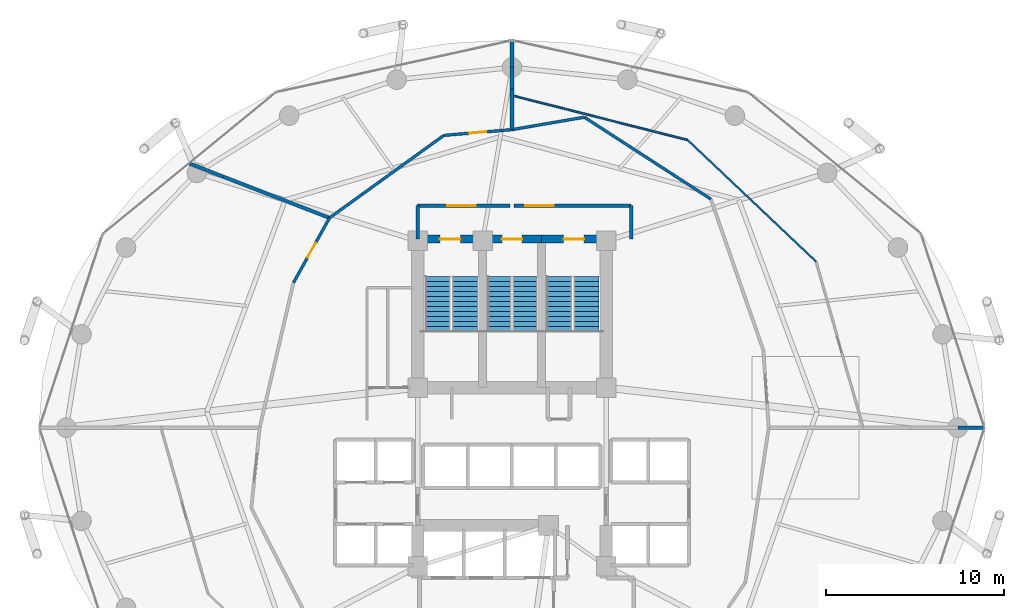
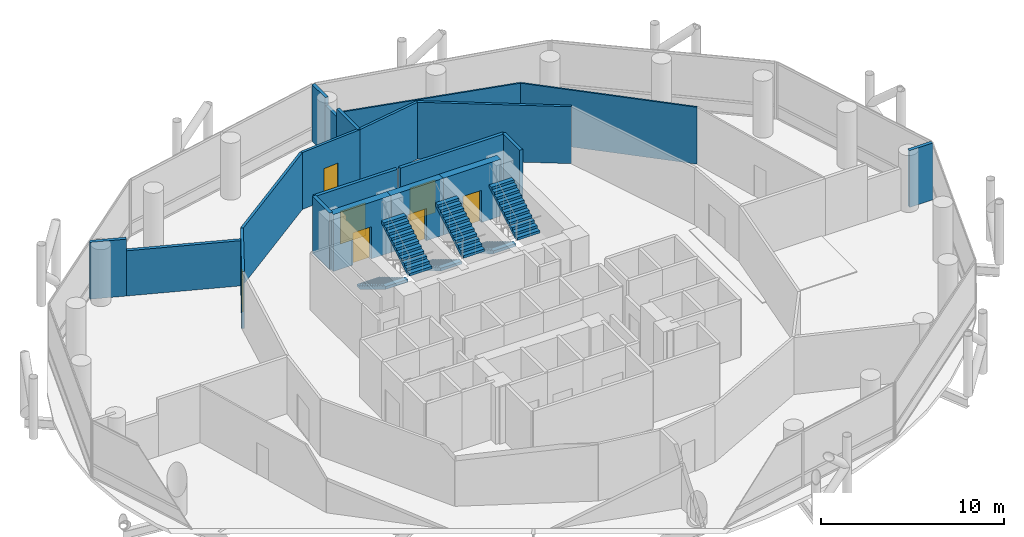
# One storey, part 23 of 24: 20 walls, 7 doors, 6 stair flights, 7 openings, 3 elements without a shape of their own.
"""IFC4 building model written with IfcOpenShell, lengths in metres."""

import ifcopenshell
import ifcopenshell.guid

model = None  # the IFC model being written
_history = None  # IfcOwnerHistory: only IFC2X3 demands one
_inside = {}  # id of a spatial element -> (the spatial element, [elements in it])
_under = {}  # id of a project, library or spatial element -> (it, [spatial elements below it])
_declared = {}  # id of a project -> (the project, [libraries it declares])
_typed = {}  # id of a type object -> (the type object, [elements of that type])
_made_of = {}  # id of a material, layer set ... -> (it, [elements and type objects made of it])


def new_model(schema):
    """Start an empty IFC model of exactly this schema.

    Asked for "IFC4X3", IfcOpenShell would pick the latest addendum, in which some entities
    have other attributes; the version numbers below select the first issue.
    IFC2X3 requires an IfcOwnerHistory on every rooted entity: one is made here for all.
    """
    global model, _history
    if schema == "IFC4X3":
        model = ifcopenshell.file(schema_version=(4, 3, 0, 0))
    else:
        model = ifcopenshell.file(schema=schema)
    _inside.clear()
    _under.clear()
    _declared.clear()
    _typed.clear()
    _made_of.clear()
    _history = None
    if model.schema == "IFC2X3":
        org = make("IfcOrganization", Name="unknown")
        user = make(
            "IfcPersonAndOrganization",
            ThePerson=make("IfcPerson", FamilyName="unknown"),
            TheOrganization=org,
        )
        app = make(
            "IfcApplication",
            ApplicationDeveloper=org,
            Version="unknown",
            ApplicationFullName="unknown",
            ApplicationIdentifier="unknown",
        )
        _history = make(
            "IfcOwnerHistory",
            OwningUser=user,
            OwningApplication=app,
            ChangeAction="ADDED",
            CreationDate=0,
        )
    return model


def make(cls, **values):
    """One entity of the class cls with the attributes given. An attribute that is None is left unset."""
    return model.create_entity(
        cls, **{name: value for name, value in values.items() if value is not None}
    )


def rooted(cls, **values):
    """An entity with a GlobalId (a new one), such as an element, a storey or a relation."""
    return make(cls, GlobalId=ifcopenshell.guid.new(), OwnerHistory=_history, **values)


def si_unit(unit_type, name, prefix=None):
    """IfcSIUnit, for example si_unit("LENGTHUNIT", "METRE", prefix="MILLI")."""
    return make("IfcSIUnit", UnitType=unit_type, Prefix=prefix, Name=name)


def assignment(units):
    """IfcUnitAssignment: the units of a project."""
    return None if units is None else make("IfcUnitAssignment", Units=units)


def point(xyz):
    """IfcCartesianPoint."""
    return None if xyz is None else make("IfcCartesianPoint", Coordinates=xyz)


def direction(xyz):
    """IfcDirection."""
    return None if xyz is None else make("IfcDirection", DirectionRatios=xyz)


def frame(location, z_axis=None, x_axis=None):
    """IfcAxis2Placement3D, a coordinate frame: its origin and axes. An axis left out is left unset."""
    return make(
        "IfcAxis2Placement3D",
        Location=point(location),
        Axis=direction(z_axis),
        RefDirection=direction(x_axis),
    )


def frame_2d(location, x_axis=None):
    """IfcAxis2Placement2D, a coordinate frame in the plane: its origin and x axis."""
    return make(
        "IfcAxis2Placement2D", Location=point(location), RefDirection=direction(x_axis)
    )


def origin():
    """The frame at (0, 0, 0) with its axes left unset."""
    return frame((0.0, 0.0, 0.0))


def place(relative_to, where):
    """IfcLocalPlacement: puts the frame where relative to a parent placement (None: the world)."""
    return make(
        "IfcLocalPlacement", PlacementRelTo=relative_to, RelativePlacement=where
    )


def context(
    kind, dimensions, precision=None, world=None, true_north=None, identifier=None
):
    """IfcGeometricRepresentationContext, for example the 3D "Model" context."""
    return make(
        "IfcGeometricRepresentationContext",
        ContextIdentifier=identifier,
        ContextType=kind,
        CoordinateSpaceDimension=dimensions,
        Precision=precision,
        WorldCoordinateSystem=world,
        TrueNorth=true_north,
    )


def subcontext(parent, identifier, kind, view, scale=None):
    """IfcGeometricRepresentationSubContext, for example "Body" below "Model"."""
    return make(
        "IfcGeometricRepresentationSubContext",
        ContextIdentifier=identifier,
        ContextType=kind,
        ParentContext=parent,
        TargetScale=scale,
        TargetView=view,
    )


def project(units=None, contexts=None):
    """IfcProject with its units and contexts."""
    return rooted(
        "IfcProject",
        Name="project",
        RepresentationContexts=contexts,
        UnitsInContext=assignment(units),
    )


def spatial(cls, under=None, at=None, **own):
    """A site, building, storey or space (cls), placed at a placement, below another one or the project."""
    s = rooted(cls, ObjectPlacement=at, **own)
    if under is not None:
        _under.setdefault(under.id(), (under, []))[1].append(s)
    return s


def polyline(points):
    """IfcPolyline through the points."""
    return make("IfcPolyline", Points=[point(p) for p in points])


def profile(cls, at=None, kind="AREA", **sizes):
    """A parametric profile (cls). Its sizes go by their IFC names, for example OverallWidth=200.0."""
    return make(cls, ProfileType=kind, Position=at, **sizes)


def rectangle(**sizes):
    """IfcRectangleProfileDef."""
    return profile("IfcRectangleProfileDef", **sizes)


def outline(outer, holes=None, kind="AREA"):
    """IfcArbitraryClosedProfileDef: a profile drawn as a closed curve; with holes, ...WithVoids."""
    if holes is None:
        return make("IfcArbitraryClosedProfileDef", ProfileType=kind, OuterCurve=outer)
    return make(
        "IfcArbitraryProfileDefWithVoids",
        ProfileType=kind,
        OuterCurve=outer,
        InnerCurves=holes,
    )


def extrude(swept, where, along, depth):
    """IfcExtrudedAreaSolid: the profile swept, set in the frame where, extruded along a direction by depth."""
    return make(
        "IfcExtrudedAreaSolid",
        SweptArea=swept,
        Position=where,
        ExtrudedDirection=direction(along),
        Depth=depth,
    )


def shape(context_of_items, identifier, shape_type, items):
    """IfcShapeRepresentation: the items that make up one representation, for example the "Body"."""
    return make(
        "IfcShapeRepresentation",
        ContextOfItems=context_of_items,
        RepresentationIdentifier=identifier,
        RepresentationType=shape_type,
        Items=items,
    )


def material(Name=None, Category=None):
    """IfcMaterial."""
    return make("IfcMaterial", Name=Name, Category=Category)


def layer(
    of_material, thickness, ventilated=None, Name=None, Category=None, Priority=None
):
    """IfcMaterialLayer: one layer of a wall or slab, of a material (None: an air gap)."""
    return make(
        "IfcMaterialLayer",
        Material=of_material,
        LayerThickness=thickness,
        IsVentilated=ventilated,
        Name=Name,
        Category=Category,
        Priority=Priority,
    )


def layer_set(layers, Name=None):
    """IfcMaterialLayerSet."""
    return make("IfcMaterialLayerSet", MaterialLayers=layers, LayerSetName=Name)


def made_of(thing, what):
    """Note that an element or type object is made of a material, layer set ...; save() writes the relation."""
    if what is not None:
        _made_of.setdefault(what.id(), (what, []))[1].append(thing)
    return thing


def type_object(cls, material=None, **own):
    """A type object (cls), such as IfcWallType, which elements share."""
    return made_of(rooted(cls, **own), material)


def element(
    cls,
    number,
    at=None,
    inside=None,
    cuts=None,
    type_object=None,
    material=None,
    context=None,
    identifier="Body",
    shape_type=None,
    held_by="IfcProductDefinitionShape",
    body=None,
    shapes=None,
    **own,
):
    """One element of the class cls, such as IfcWall. Its Tag is "e" and its number.

    at: its placement. inside: the storey or other place that contains it. cuts: it is an
    opening in that element (IfcRelVoidsElement). A single representation is given by context,
    identifier, shape_type and body (its items); several are given by shapes. held_by: the class
    of the entity that holds the representations. save() writes the other relations.
    """
    e = rooted(cls, Tag="e%d" % number, ObjectPlacement=at, **own)
    if body is not None:
        shapes = [shape(context, identifier, shape_type, body)]
    if shapes is not None:
        e.Representation = make(held_by, Representations=shapes)
    if inside is not None:
        _inside.setdefault(inside.id(), (inside, []))[1].append(e)
    if cuts is not None:
        rooted(
            "IfcRelVoidsElement", RelatingBuildingElement=cuts, RelatedOpeningElement=e
        )
    if type_object is not None:
        _typed.setdefault(type_object.id(), (type_object, []))[1].append(e)
    return made_of(e, material)


def fill(opening, filler):
    """IfcRelFillsElement: the door or window that sits in an opening."""
    return rooted(
        "IfcRelFillsElement",
        RelatingOpeningElement=opening,
        RelatedBuildingElement=filler,
    )


def aggregate(whole, parts):
    """IfcRelAggregates: a whole, such as a stair, and the parts it consists of."""
    return rooted("IfcRelAggregates", RelatingObject=whole, RelatedObjects=parts)


def save(model, path):
    """Write the relations noted so far, then the file.

    IfcRelAggregates (storeys below a building ...), IfcRelContainedInSpatialStructure (elements
    in a storey), IfcRelDefinesByType, IfcRelAssociatesMaterial and IfcRelDeclares: one each for
    every whole, place, type object, material and project.
    """
    for whole, parts in _under.values():
        aggregate(whole, parts)
    for where, things in _inside.values():
        rooted(
            "IfcRelContainedInSpatialStructure",
            RelatedElements=things,
            RelatingStructure=where,
        )
    for kind, things in _typed.values():
        rooted("IfcRelDefinesByType", RelatedObjects=things, RelatingType=kind)
    for what, things in _made_of.values():
        rooted("IfcRelAssociatesMaterial", RelatedObjects=things, RelatingMaterial=what)
    for by, libraries in _declared.values():
        rooted("IfcRelDeclares", RelatingContext=by, RelatedDefinitions=libraries)
    model.write(path)


model = new_model("IFC4")

# Units and contexts
model_context = context("Model", 3, precision=1e-05, world=origin(), true_north=direction((0.0, 1.0)))
body_context = subcontext(model_context, "Body", "Model", "MODEL_VIEW")
ifc_project = project(units=[si_unit("LENGTHUNIT", "METRE"), si_unit("AREAUNIT", "SQUARE_METRE"), si_unit("VOLUMEUNIT", "CUBIC_METRE"), si_unit("PLANEANGLEUNIT", "RADIAN"), si_unit("MASSUNIT", "GRAM", prefix="KILO")], contexts=[model_context])

# Site, building, storey
site_placement = place(None, origin())
site = spatial("IfcSite", under=ifc_project, at=site_placement, CompositionType="ELEMENT")
building_placement = place(site_placement, origin())
building = spatial("IfcBuilding", under=site, at=building_placement, Name="Nuhasar Tower", CompositionType="ELEMENT")
storey_placement = place(building_placement, frame((0.0, 0.0, 69.60009765625)))
storey = spatial("IfcBuildingStorey", under=building, at=storey_placement, Name="L16", CompositionType="ELEMENT", Elevation=69.60009765625)

# Wall, opening, door
ifc_material_1 = material(Name="Concrete C50/60", Category="concrete")
ifc_layer_1 = layer(ifc_material_1, 0.449951171875)
ifc_layer_set_1 = layer_set([ifc_layer_1], Name="Concrete C50/60")
wall_type_1 = type_object("IfcWallType", Name="WL-CORE-450", PredefinedType="SHEAR", material=ifc_layer_set_1)
wall_1_placement = place(storey_placement, frame((37.35009765625, 37.39990234375, 0.0), z_axis=(0.0, 0.0, 1.0), x_axis=(-1.0, 0.0, 0.0)))
wall_1 = element("IfcWall", 1, at=wall_1_placement, inside=storey, type_object=wall_type_1, Name="L16 Stairwell Shear Wall ST01-N", PredefinedType="SHEAR", context=body_context, shape_type="SweptSolid", body=[
    extrude(rectangle(XDim=3.650146484375, YDim=0.449951171875, at=frame_2d((1.8251953125, 0.0))), origin(), (0.0, 0.0, 1.0), 3.7998046875),
])
opening_1_placement = place(wall_1_placement, frame((1.25, 0.0, 0.0)))
opening_1 = element("IfcOpeningElement", 2, at=opening_1_placement, cuts=wall_1, Name="Opening DS-01", PredefinedType="OPENING", context=body_context, shape_type="SweptSolid", body=[
    extrude(rectangle(XDim=1.14990234375, YDim=2.14990234375, at=frame_2d((0.574951171875, 1.074951171875))), frame((0.0, 0.23486328125, 0.0), z_axis=(0.0, -1.0, 0.0), x_axis=(1.0, 0.0, 0.0)), (0.0, 0.0, 1.0), 0.469970703125),
])
ifc_material_2 = material(Name="Steel S355", Category="steel")
door_type_1 = type_object("IfcDoorType", Name="DR-STAIR-FD120-1150", OperationType="NOTDEFINED", PredefinedType="DOOR", material=ifc_material_2)
door_1_placement = place(opening_1_placement, origin())
door_1 = element("IfcDoor", 3, at=door_1_placement, inside=storey, type_object=door_type_1, Name="L16 Exit Stair ST-01 Door", OperationType="SINGLE_SWING_RIGHT", OverallHeight=2.14990234375, OverallWidth=1.14990234375, PredefinedType="DOOR", context=body_context, shape_type="SweptSolid", body=[
    extrude(rectangle(XDim=1.14990234375, YDim=2.14990234375, at=frame_2d((0.574951171875, 1.074951171875))), frame((0.0, 0.02490234375, 0.0), z_axis=(0.0, -1.0, 0.0), x_axis=(1.0, 0.0, 0.0)), (0.0, 0.0, 1.0), 0.050048828125),
])
fill(opening_1, door_1)

wall_2_placement = place(storey_placement, frame((40.64990234375, 37.39990234375, 0.0), z_axis=(0.0, 0.0, 1.0), x_axis=(-1.0, 0.0, 0.0)))
wall_2 = element("IfcWall", 4, at=wall_2_placement, inside=storey, type_object=wall_type_1, Name="L16 Stairwell Shear Wall ST03-N", PredefinedType="SHEAR", context=body_context, shape_type="SweptSolid", body=[
    extrude(rectangle(XDim=3.2998046875, YDim=0.449951171875, at=frame_2d((1.64990234375, 0.0))), origin(), (0.0, 0.0, 1.0), 3.7998046875),
])
opening_2_placement = place(wall_2_placement, frame((1.074951171875, 0.0, 0.0)))
opening_2 = element("IfcOpeningElement", 5, at=opening_2_placement, cuts=wall_2, Name="Opening DS-01", PredefinedType="OPENING", context=body_context, shape_type="SweptSolid", body=[
    extrude(rectangle(XDim=1.14990234375, YDim=2.14990234375, at=frame_2d((0.574951171875, 1.074951171875))), frame((0.0, 0.23486328125, 0.0), z_axis=(0.0, -1.0, 0.0), x_axis=(1.0, 0.0, 0.0)), (0.0, 0.0, 1.0), 0.469970703125),
])
door_2_placement = place(opening_2_placement, origin())
door_2 = element("IfcDoor", 6, at=door_2_placement, inside=storey, type_object=door_type_1, Name="L16 Exit Stair ST-03 Door", OperationType="SINGLE_SWING_RIGHT", OverallHeight=2.14990234375, OverallWidth=1.14990234375, PredefinedType="DOOR", context=body_context, shape_type="SweptSolid", body=[
    extrude(rectangle(XDim=1.14990234375, YDim=2.14990234375, at=frame_2d((0.574951171875, 1.074951171875))), frame((0.0, 0.02490234375, 0.0), z_axis=(0.0, -1.0, 0.0), x_axis=(1.0, 0.0, 0.0)), (0.0, 0.0, 1.0), 0.050048828125),
])
fill(opening_2, door_2)

wall_3_placement = place(storey_placement, frame((44.300048828125, 37.39990234375, 0.0), z_axis=(0.0, 0.0, 1.0), x_axis=(-1.0, 0.0, 0.0)))
wall_3 = element("IfcWall", 7, at=wall_3_placement, inside=storey, type_object=wall_type_1, Name="L16 Stairwell Shear Wall ST02-N", PredefinedType="SHEAR", context=body_context, shape_type="SweptSolid", body=[
    extrude(rectangle(XDim=3.650146484375, YDim=0.449951171875, at=frame_2d((1.8251953125, 0.0))), origin(), (0.0, 0.0, 1.0), 3.7998046875),
])
opening_3_placement = place(wall_3_placement, frame((1.25, 0.0, 0.0)))
opening_3 = element("IfcOpeningElement", 8, at=opening_3_placement, cuts=wall_3, Name="Opening DS-01", PredefinedType="OPENING", context=body_context, shape_type="SweptSolid", body=[
    extrude(rectangle(XDim=1.14990234375, YDim=2.14990234375, at=frame_2d((0.574951171875, 1.074951171875))), frame((0.0, 0.23486328125, 0.0), z_axis=(0.0, -1.0, 0.0), x_axis=(1.0, 0.0, 0.0)), (0.0, 0.0, 1.0), 0.469970703125),
])
door_3_placement = place(opening_3_placement, origin())
door_3 = element("IfcDoor", 9, at=door_3_placement, inside=storey, type_object=door_type_1, Name="L16 Exit Stair ST-02 Door", OperationType="SINGLE_SWING_LEFT", OverallHeight=2.14990234375, OverallWidth=1.14990234375, PredefinedType="DOOR", context=body_context, shape_type="SweptSolid", body=[
    extrude(rectangle(XDim=1.14990234375, YDim=2.14990234375, at=frame_2d((0.574951171875, 1.074951171875))), frame((0.0, 0.02490234375, 0.0), z_axis=(0.0, -1.0, 0.0), x_axis=(1.0, 0.0, 0.0)), (0.0, 0.0, 1.0), 0.050048828125),
])
fill(opening_3, door_3)

# Walls
ifc_material_3 = material(Name="Gypsum Board", Category="gypsum")
ifc_layer_2 = layer(ifc_material_3, 0.159912109375)
ifc_layer_set_2 = layer_set([ifc_layer_2], Name="Gypsum Board")
wall_type_2 = type_object("IfcWallType", Name="WL-CORR-160", PredefinedType="PARTITIONING", material=ifc_layer_set_2)
wall_4_placement = place(storey_placement, frame((50.176025390625, 39.64599609375, 0.0), z_axis=(0.0, 0.0, 1.0), x_axis=(-0.839408478808, 0.543501063205, 0.0)))
element("IfcWall", 10, at=wall_4_placement, inside=storey, type_object=wall_type_2, Name="L16 Interior Partition CORR-06", PredefinedType="PARTITIONING", context=body_context, shape_type="SweptSolid", body=[
    extrude(rectangle(XDim=8.46923828125, YDim=0.159912109375, at=frame_2d((4.234619140625, 0.0))), origin(), (0.0, 0.0, 1.0), 3.7998046875),
])
wall_5_placement = place(storey_placement, frame((43.06689453125, 44.2490234375, 0.0), z_axis=(0.0, 0.0, 1.0), x_axis=(-0.985549816713, -0.169385828146, 0.0)))
element("IfcWall", 11, at=wall_5_placement, inside=storey, type_object=wall_type_2, Name="L16 Interior Partition CORR-10", PredefinedType="PARTITIONING", context=body_context, shape_type="SweptSolid", body=[
    extrude(rectangle(XDim=4.12646484375, YDim=0.159912109375, at=frame_2d((2.063232421875, 0.0))), origin(), (0.0, 0.0, 1.0), 3.7998046875),
])

# Wall, opening, door
wall_6_placement = place(storey_placement, frame((35.1708984375, 43.22705078125, 0.0), z_axis=(0.0, 0.0, 1.0), x_axis=(0.996461119645, 0.084054964377, 0.0)))
wall_6 = element("IfcWall", 12, at=wall_6_placement, inside=storey, type_object=wall_type_2, Name="L16 Interior Partition CORR-12", PredefinedType="PARTITIONING", context=body_context, shape_type="SweptSolid", body=[
    extrude(rectangle(XDim=3.8427734375, YDim=0.159912109375, at=frame_2d((1.92138671875, 0.0))), origin(), (0.0, 0.0, 1.0), 3.7998046875),
])
opening_4_placement = place(wall_6_placement, frame((1.446044921875, 0.0, 0.0)))
opening_4 = element("IfcOpeningElement", 13, at=opening_4_placement, cuts=wall_6, Name="Opening DO-01", PredefinedType="OPENING", context=body_context, shape_type="SweptSolid", body=[
    extrude(rectangle(XDim=0.949951171875, YDim=2.14990234375, at=frame_2d((0.47509765625, 1.074951171875))), frame((0.0, 0.08984375, 0.0), z_axis=(0.0, -1.0, 0.0), x_axis=(1.0, 0.0, 0.0)), (0.0, 0.0, 1.0), 0.179931640625),
])
ifc_material_4 = material(Name="Timber Oak", Category="wood")
door_type_2 = type_object("IfcDoorType", Name="DR-OFFICE-FD30-950", OperationType="NOTDEFINED", PredefinedType="DOOR", material=ifc_material_4)
door_4_placement = place(opening_4_placement, origin())
door_4 = element("IfcDoor", 14, at=door_4_placement, inside=storey, type_object=door_type_2, Name="L16 Product Showcase Boutique Entry Door", OperationType="SINGLE_SWING_LEFT", OverallHeight=2.14990234375, OverallWidth=0.949951171875, PredefinedType="DOOR", context=body_context, shape_type="SweptSolid", body=[
    extrude(rectangle(XDim=0.949951171875, YDim=2.14990234375, at=frame_2d((0.47509765625, 1.074951171875))), frame((0.0, 0.02490234375, 0.0), z_axis=(0.0, -1.0, 0.0), x_axis=(1.0, 0.0, 0.0)), (0.0, 0.0, 1.0), 0.050048828125),
])
fill(opening_4, door_4)

# Wall
wall_7_placement = place(storey_placement, frame((35.1708984375, 43.22705078125, 0.0), z_axis=(0.0, 0.0, 1.0), x_axis=(-0.811006435929, -0.585037230339, 0.0)))
element("IfcWall", 15, at=wall_7_placement, inside=storey, type_object=wall_type_2, Name="L16 Interior Partition CORR-14", PredefinedType="PARTITIONING", context=body_context, shape_type="SweptSolid", body=[
    extrude(rectangle(XDim=7.926025390625, YDim=0.159912109375, at=frame_2d((3.962890625, 0.0))), origin(), (0.0, 0.0, 1.0), 3.7998046875),
])

# Wall, opening, door
wall_8_placement = place(storey_placement, frame((26.719970703125, 34.949951171875, 0.0), z_axis=(0.0, 0.0, 1.0), x_axis=(0.485762387835, 0.87409090063, 0.0)))
wall_8 = element("IfcWall", 16, at=wall_8_placement, inside=storey, type_object=wall_type_2, Name="L16 Interior Partition CORR-18", PredefinedType="PARTITIONING", context=body_context, shape_type="SweptSolid", body=[
    extrude(rectangle(XDim=4.16455078125, YDim=0.159912109375, at=frame_2d((2.082275390625, 0.0))), origin(), (0.0, 0.0, 1.0), 3.7998046875),
])
opening_5_placement = place(wall_8_placement, frame((1.60693359375, 0.0, 0.0)))
opening_5 = element("IfcOpeningElement", 17, at=opening_5_placement, cuts=wall_8, Name="Opening DO-01", PredefinedType="OPENING", context=body_context, shape_type="SweptSolid", body=[
    extrude(rectangle(XDim=0.949951171875, YDim=2.14990234375, at=frame_2d((0.47509765625, 1.074951171875))), frame((0.0, 0.08984375, 0.0), z_axis=(0.0, -1.0, 0.0), x_axis=(1.0, 0.0, 0.0)), (0.0, 0.0, 1.0), 0.179931640625),
])
door_5_placement = place(opening_5_placement, origin())
door_5 = element("IfcDoor", 18, at=door_5_placement, inside=storey, type_object=door_type_2, Name="L16 Barista Espresso Pantry Entry Door", OperationType="SINGLE_SWING_LEFT", OverallHeight=2.14990234375, OverallWidth=0.949951171875, PredefinedType="DOOR", context=body_context, shape_type="SweptSolid", body=[
    extrude(rectangle(XDim=0.949951171875, YDim=2.14990234375, at=frame_2d((0.47509765625, 1.074951171875))), frame((0.0, 0.02490234375, 0.0), z_axis=(0.0, -1.0, 0.0), x_axis=(1.0, 0.0, 0.0)), (0.0, 0.0, 1.0), 0.050048828125),
])
fill(opening_5, door_5)

# Walls
ifc_material_5 = material(Name="Concrete C45/55", Category="concrete")
ifc_layer_3 = layer(ifc_material_5, 0.199951171875)
ifc_layer_set_3 = layer_set([ifc_layer_3], Name="Concrete C45/55")
wall_type_3 = type_object("IfcWallType", Name="WL-LOBBY-200", PredefinedType="SOLIDWALL", material=ifc_layer_set_3)
for number, where, z_axis, x_axis, name in (
    (19, (33.699951171875, 37.39990234375, 0.0), (0.0, 0.0, 1.0), (0.0, 1.0, 0.0), "L16 Interior Partition NSL-W"),
    (20, (45.699951171875, 37.39990234375, 0.0), (0.0, 0.0, 1.0), (0.0, 1.0, 0.0), "L16 Interior Partition NSL-E"),
):
    element("IfcWall", number, at=place(storey_placement, frame(where, z_axis=z_axis, x_axis=x_axis)), inside=storey, type_object=wall_type_3, Name=name, PredefinedType="SOLIDWALL", context=body_context, shape_type="SweptSolid", body=[
        extrude(rectangle(XDim=1.880126953125, YDim=0.199951171875, at=frame_2d((0.93994140625, 0.0))), origin(), (0.0, 0.0, 1.0), 3.7998046875),
    ])

# Wall, opening, door
wall_9_placement = place(storey_placement, frame((38.89990234375, 39.280029296875, 0.0), z_axis=(0.0, 0.0, 1.0), x_axis=(-1.0, 0.0, 0.0)))
wall_9 = element("IfcWall", 21, at=wall_9_placement, inside=storey, type_object=wall_type_3, Name="L16 Interior Partition NSL-N1", PredefinedType="SOLIDWALL", context=body_context, shape_type="SweptSolid", body=[
    extrude(rectangle(XDim=5.199951171875, YDim=0.199951171875, at=frame_2d((2.60009765625, 0.0))), origin(), (0.0, 0.0, 1.0), 3.7998046875),
])
opening_6_placement = place(wall_9_placement, frame((1.949951171875, 0.0, 0.0)))
opening_6 = element("IfcOpeningElement", 22, at=opening_6_placement, cuts=wall_9, Name="Opening DC-01", PredefinedType="OPENING", context=body_context, shape_type="SweptSolid", body=[
    extrude(rectangle(XDim=1.60009765625, YDim=2.199951171875, at=frame_2d((0.800048828125, 1.10009765625))), frame((0.0, 0.10986328125, 0.0), z_axis=(0.0, -1.0, 0.0), x_axis=(1.0, 0.0, 0.0)), (0.0, 0.0, 1.0), 0.219970703125),
])
door_type_3 = type_object("IfcDoorType", Name="DR-CORR-FD60-1600", OperationType="DOUBLE_DOOR_SINGLE_SWING", PredefinedType="DOOR", material=ifc_material_2)
door_6_placement = place(opening_6_placement, origin())
door_6 = element("IfcDoor", 23, at=door_6_placement, inside=storey, type_object=door_type_3, Name="L16 North Stair Lobby West Door", OperationType="DOUBLE_DOOR_SINGLE_SWING", OverallHeight=2.199951171875, OverallWidth=1.60009765625, PredefinedType="DOOR", context=body_context, shape_type="SweptSolid", body=[
    extrude(rectangle(XDim=1.60009765625, YDim=2.199951171875, at=frame_2d((0.800048828125, 1.10009765625))), frame((0.0, 0.02490234375, 0.0), z_axis=(0.0, -1.0, 0.0), x_axis=(1.0, 0.0, 0.0)), (0.0, 0.0, 1.0), 0.050048828125),
])
fill(opening_6, door_6)

wall_10_placement = place(storey_placement, frame((45.699951171875, 39.280029296875, 0.0), z_axis=(0.0, 0.0, 1.0), x_axis=(-1.0, 0.0, 0.0)))
wall_10 = element("IfcWall", 24, at=wall_10_placement, inside=storey, type_object=wall_type_3, Name="L16 Interior Partition NSL-N2", PredefinedType="SOLIDWALL", context=body_context, shape_type="SweptSolid", body=[
    extrude(rectangle(XDim=6.599853515625, YDim=0.199951171875, at=frame_2d((3.2998046875, 0.0))), origin(), (0.0, 0.0, 1.0), 3.7998046875),
])
opening_7_placement = place(wall_10_placement, frame((4.35009765625, 0.0, 0.0)))
opening_7 = element("IfcOpeningElement", 25, at=opening_7_placement, cuts=wall_10, Name="Opening DC-01", PredefinedType="OPENING", context=body_context, shape_type="SweptSolid", body=[
    extrude(rectangle(XDim=1.60009765625, YDim=2.199951171875, at=frame_2d((0.800048828125, 1.10009765625))), frame((0.0, 0.10986328125, 0.0), z_axis=(0.0, -1.0, 0.0), x_axis=(1.0, 0.0, 0.0)), (0.0, 0.0, 1.0), 0.219970703125),
])
door_7_placement = place(opening_7_placement, origin())
door_7 = element("IfcDoor", 26, at=door_7_placement, inside=storey, type_object=door_type_3, Name="L16 North Stair Lobby East Door", OperationType="DOUBLE_DOOR_SINGLE_SWING", OverallHeight=2.199951171875, OverallWidth=1.60009765625, PredefinedType="DOOR", context=body_context, shape_type="SweptSolid", body=[
    extrude(rectangle(XDim=1.60009765625, YDim=2.199951171875, at=frame_2d((0.800048828125, 1.10009765625))), frame((0.0, 0.02490234375, 0.0), z_axis=(0.0, -1.0, 0.0), x_axis=(1.0, 0.0, 0.0)), (0.0, 0.0, 1.0), 0.050048828125),
])
fill(opening_7, door_7)

# Walls
ifc_material_6 = material(Name="Aluminium 6063-T6", Category="aluminium")
ifc_layer_4 = layer(ifc_material_6, 0.10009765625)
ifc_layer_set_4 = layer_set([ifc_layer_4], Name="Aluminium 6063-T6")
wall_type_4 = type_object("IfcWallType", Name="WL-MOVABLE-100", PredefinedType="MOVABLE", material=ifc_layer_set_4)
wall_11_placement = place(storey_placement, frame((56.090087890625, 36.135986328125, 0.0), z_axis=(0.0, 0.0, 1.0), x_axis=(-0.72640414621, 0.687267790871, 0.0)))
element("IfcWall", 27, at=wall_11_placement, inside=storey, type_object=wall_type_4, Name="L16 Interior Partition OMID-01-04", PredefinedType="MOVABLE", context=body_context, shape_type="SweptSolid", body=[
    extrude(rectangle(XDim=9.943603515625, YDim=0.10009765625, at=frame_2d((4.9716796875, 0.0))), origin(), (0.0, 0.0, 1.0), 3.7998046875),
])
wall_12_placement = place(storey_placement, frame((48.866943359375, 42.969970703125, 0.0), z_axis=(0.0, 0.0, 1.0), x_axis=(-0.969345835611, 0.245700327601, 0.0)))
element("IfcWall", 28, at=wall_12_placement, inside=storey, type_object=wall_type_4, Name="L16 Interior Partition OMID-01-08", PredefinedType="MOVABLE", context=body_context, shape_type="SweptSolid", body=[
    extrude(rectangle(XDim=10.178955078125, YDim=0.10009765625, at=frame_2d((5.08935546875, 0.0))), origin(), (0.0, 0.0, 1.0), 3.7998046875),
])
ifc_material_7 = material(Name="Concrete C40/50 precast", Category="concrete")
ifc_layer_5 = layer(ifc_material_7, 0.199951171875)
ifc_layer_set_5 = layer_set([ifc_layer_5], Name="Concrete C40/50 precast")
wall_type_5 = type_object("IfcWallType", Name="WL-UNIT-200", PredefinedType="PARTITIONING", material=ifc_layer_set_5)
wall_13_placement = place(storey_placement, frame((64.06103515625, 26.800048828125, 0.0), z_axis=(0.0, 0.0, 1.0), x_axis=(1.0, 0.0, 0.0)))
element("IfcWall", 29, at=wall_13_placement, inside=storey, type_object=wall_type_5, Name="L16 Interior Partition ORAD-00-S2", PredefinedType="PARTITIONING", context=body_context, shape_type="SweptSolid", body=[
    extrude(rectangle(XDim=1.4638671875, YDim=0.199951171875, at=frame_2d((0.73193359375, 0.0))), origin(), (0.0, 0.0, 1.0), 3.7998046875),
])
wall_14_placement = place(storey_placement, frame((39.0, 43.550048828125, 0.0), z_axis=(0.0, 0.0, 1.0), x_axis=(0.0, 1.0, 0.0)))
element("IfcWall", 30, at=wall_14_placement, inside=storey, type_object=wall_type_5, Name="L16 Interior Partition ORAD-12", PredefinedType="PARTITIONING", context=body_context, shape_type="SweptSolid", body=[
    extrude(rectangle(XDim=2.282958984375, YDim=0.199951171875, at=frame_2d((1.1416015625, 0.0))), origin(), (0.0, 0.0, 1.0), 3.7998046875),
])
wall_15_placement = place(storey_placement, frame((39.0, 45.8330078125, 0.0), z_axis=(0.0, 0.0, 1.0), x_axis=(0.0, 1.0, 0.0)))
element("IfcWall", 31, at=wall_15_placement, inside=storey, type_object=wall_type_5, Name="L16 Interior Partition ORAD-12", PredefinedType="PARTITIONING", context=body_context, shape_type="SweptSolid", body=[
    extrude(rectangle(XDim=1.23388671875, YDim=0.199951171875, at=frame_2d((0.616943359375, 0.0))), origin(), (0.0, 0.0, 1.0), 3.264892578125),
])
wall_16_placement = place(storey_placement, frame((39.0, 47.06689453125, 0.0), z_axis=(0.0, 0.0, 1.0), x_axis=(0.0, 1.0, 0.0)))
element("IfcWall", 32, at=wall_16_placement, inside=storey, type_object=wall_type_5, Name="L16 Interior Partition ORAD-12", PredefinedType="PARTITIONING", context=body_context, shape_type="SweptSolid", body=[
    extrude(rectangle(XDim=1.4580078125, YDim=0.199951171875, at=frame_2d((0.72900390625, 0.0))), origin(), (0.0, 0.0, 1.0), 3.7998046875),
])
wall_17_placement = place(storey_placement, frame((28.742919921875, 38.590087890625, 0.0), z_axis=(0.0, 0.0, 1.0), x_axis=(-0.932366814267, 0.361513656249, 0.0)))
element("IfcWall", 33, at=wall_17_placement, inside=storey, type_object=wall_type_5, Name="L16 Interior Partition ORAD-18", PredefinedType="PARTITIONING", context=body_context, shape_type="SweptSolid", body=[
    extrude(rectangle(XDim=6.40625, YDim=0.199951171875, at=frame_2d((3.203125, 0.0))), origin(), (0.0, 0.0, 1.0), 3.02001953125),
])
wall_18_placement = place(storey_placement, frame((22.77001953125, 40.906005859375, 0.0), z_axis=(0.0, 0.0, 1.0), x_axis=(-0.932318982985, 0.361636991977, 0.0)))
element("IfcWall", 34, at=wall_18_placement, inside=storey, type_object=wall_type_5, Name="L16 Interior Partition ORAD-18", PredefinedType="PARTITIONING", context=body_context, shape_type="SweptSolid", body=[
    extrude(rectangle(XDim=2.02392578125, YDim=0.199951171875, at=frame_2d((1.011962890625, 0.0))), origin(), (0.0, 0.0, 1.0), 3.7998046875),
])

# Stair, stair flights
stair_type_1 = type_object("IfcStairType", Name="STR-ST-01-2F-24R-1688", PredefinedType="HALF_TURN_STAIR", material=ifc_material_5)
stair_1_placement = place(storey_placement, origin())
stair_1 = element("IfcStair", 35, at=stair_1_placement, inside=storey, type_object=stair_type_1, Name="L16 Exit Stair ST-01", PredefinedType="HALF_TURN_STAIR")
stair_flight_type_1 = type_object("IfcStairFlightType", Name="SFL-ST-01-12R-1688", PredefinedType="STRAIGHT", material=ifc_material_5)
stair_flight_1_placement = place(storey_placement, frame((34.830078125, 35.284912109375, 0.0), z_axis=(0.0, 0.0, 1.0), x_axis=(0.0, -1.0, 0.0)))
stair_flight_1 = element("IfcStairFlight", 36, at=stair_flight_1_placement, type_object=stair_flight_type_1, Name="ST-01 flight 1", NumberOfRisers=12, NumberOfTreads=11, PredefinedType="STRAIGHT", RiserHeight=0.16875, TreadLength=0.28, context=body_context, shape_type="SweptSolid", body=[
    extrude(outline(polyline([(0.0, 0.0), (0.0, 0.168701171875), (0.280029296875, 0.168701171875), (0.280029296875, 0.33740234375), (0.56005859375, 0.33740234375), (0.56005859375, 0.50634765625), (0.840087890625, 0.50634765625), (0.840087890625, 0.675048828125), (1.1201171875, 0.675048828125), (1.1201171875, 0.84375), (1.39990234375, 0.84375), (1.39990234375, 1.012451171875), (1.679931640625, 1.012451171875), (1.679931640625, 1.18115234375), (1.9599609375, 1.18115234375), (1.9599609375, 1.35009765625), (2.239990234375, 1.35009765625), (2.239990234375, 1.518798828125), (2.52001953125, 1.518798828125), (2.52001953125, 1.6875), (2.800048828125, 1.6875), (2.800048828125, 1.856201171875), (3.080078125, 1.856201171875), (3.080078125, 2.02490234375), (3.080078125, 1.66943359375), (0.309814453125, 0.0), (0.0, 0.0)])), frame((0.0, 0.7099609375, 0.0), z_axis=(0.0, -1.0, 0.0), x_axis=(1.0, 0.0, 0.0)), (0.0, 0.0, 1.0), 1.419921875),
])
stair_flight_2_placement = place(storey_placement, frame((36.35009765625, 32.205078125, 2.02490234375), z_axis=(0.0, 0.0, 1.0), x_axis=(0.0, 1.0, 0.0)))
stair_flight_2 = element("IfcStairFlight", 37, at=stair_flight_2_placement, type_object=stair_flight_type_1, Name="ST-01 flight 2", NumberOfRisers=12, NumberOfTreads=11, PredefinedType="STRAIGHT", RiserHeight=0.16875, TreadLength=0.28, context=body_context, shape_type="SweptSolid", body=[
    extrude(outline(polyline([(0.0, 0.0), (0.0, 0.168701171875), (0.280029296875, 0.168701171875), (0.280029296875, 0.33740234375), (0.56005859375, 0.33740234375), (0.56005859375, 0.50634765625), (0.840087890625, 0.50634765625), (0.840087890625, 0.675048828125), (1.1201171875, 0.675048828125), (1.1201171875, 0.84375), (1.39990234375, 0.84375), (1.39990234375, 1.012451171875), (1.679931640625, 1.012451171875), (1.679931640625, 1.18115234375), (1.9599609375, 1.18115234375), (1.9599609375, 1.35009765625), (2.239990234375, 1.35009765625), (2.239990234375, 1.518798828125), (2.52001953125, 1.518798828125), (2.52001953125, 1.6875), (2.800048828125, 1.6875), (2.800048828125, 1.856201171875), (3.080078125, 1.856201171875), (3.080078125, 2.02490234375), (3.080078125, 1.66943359375), (0.309814453125, 0.0), (0.0, 0.0)])), frame((0.0, 0.7099609375, 0.0), z_axis=(0.0, -1.0, 0.0), x_axis=(1.0, 0.0, 0.0)), (0.0, 0.0, 1.0), 1.419921875),
])
aggregate(stair_1, [stair_flight_1, stair_flight_2])

stair_type_2 = type_object("IfcStairType", Name="STR-ST-02-2F-24R-1688", PredefinedType="HALF_TURN_STAIR", material=ifc_material_5)
stair_2_placement = place(storey_placement, origin())
stair_2 = element("IfcStair", 38, at=stair_2_placement, inside=storey, type_object=stair_type_2, Name="L16 Exit Stair ST-02", PredefinedType="HALF_TURN_STAIR")
stair_flight_type_2 = type_object("IfcStairFlightType", Name="SFL-ST-02-12R-1688", PredefinedType="STRAIGHT", material=ifc_material_5)
stair_flight_3_placement = place(storey_placement, frame((41.64990234375, 35.284912109375, 0.0), z_axis=(0.0, 0.0, 1.0), x_axis=(0.0, -1.0, 0.0)))
stair_flight_3 = element("IfcStairFlight", 39, at=stair_flight_3_placement, type_object=stair_flight_type_2, Name="ST-02 flight 1", NumberOfRisers=12, NumberOfTreads=11, PredefinedType="STRAIGHT", RiserHeight=0.16875, TreadLength=0.28, context=body_context, shape_type="SweptSolid", body=[
    extrude(outline(polyline([(0.0, 0.0), (0.0, 0.168701171875), (0.280029296875, 0.168701171875), (0.280029296875, 0.33740234375), (0.56005859375, 0.33740234375), (0.56005859375, 0.50634765625), (0.840087890625, 0.50634765625), (0.840087890625, 0.675048828125), (1.1201171875, 0.675048828125), (1.1201171875, 0.84375), (1.39990234375, 0.84375), (1.39990234375, 1.012451171875), (1.679931640625, 1.012451171875), (1.679931640625, 1.18115234375), (1.9599609375, 1.18115234375), (1.9599609375, 1.35009765625), (2.239990234375, 1.35009765625), (2.239990234375, 1.518798828125), (2.52001953125, 1.518798828125), (2.52001953125, 1.6875), (2.800048828125, 1.6875), (2.800048828125, 1.856201171875), (3.080078125, 1.856201171875), (3.080078125, 2.02490234375), (3.080078125, 1.66943359375), (0.309814453125, 0.0), (0.0, 0.0)])), frame((0.0, 0.7099609375, 0.0), z_axis=(0.0, -1.0, 0.0), x_axis=(1.0, 0.0, 0.0)), (0.0, 0.0, 1.0), 1.419921875),
])
stair_flight_4_placement = place(storey_placement, frame((43.169921875, 32.205078125, 2.02490234375), z_axis=(0.0, 0.0, 1.0), x_axis=(0.0, 1.0, 0.0)))
stair_flight_4 = element("IfcStairFlight", 40, at=stair_flight_4_placement, type_object=stair_flight_type_2, Name="ST-02 flight 2", NumberOfRisers=12, NumberOfTreads=11, PredefinedType="STRAIGHT", RiserHeight=0.16875, TreadLength=0.28, context=body_context, shape_type="SweptSolid", body=[
    extrude(outline(polyline([(0.0, 0.0), (0.0, 0.168701171875), (0.280029296875, 0.168701171875), (0.280029296875, 0.33740234375), (0.56005859375, 0.33740234375), (0.56005859375, 0.50634765625), (0.840087890625, 0.50634765625), (0.840087890625, 0.675048828125), (1.1201171875, 0.675048828125), (1.1201171875, 0.84375), (1.39990234375, 0.84375), (1.39990234375, 1.012451171875), (1.679931640625, 1.012451171875), (1.679931640625, 1.18115234375), (1.9599609375, 1.18115234375), (1.9599609375, 1.35009765625), (2.239990234375, 1.35009765625), (2.239990234375, 1.518798828125), (2.52001953125, 1.518798828125), (2.52001953125, 1.6875), (2.800048828125, 1.6875), (2.800048828125, 1.856201171875), (3.080078125, 1.856201171875), (3.080078125, 2.02490234375), (3.080078125, 1.66943359375), (0.309814453125, 0.0), (0.0, 0.0)])), frame((0.0, 0.7099609375, 0.0), z_axis=(0.0, -1.0, 0.0), x_axis=(1.0, 0.0, 0.0)), (0.0, 0.0, 1.0), 1.419921875),
])
aggregate(stair_2, [stair_flight_3, stair_flight_4])

stair_type_3 = type_object("IfcStairType", Name="STR-ST-03-2F-24R-1688", PredefinedType="HALF_TURN_STAIR", material=ifc_material_5)
stair_3_placement = place(storey_placement, origin())
stair_3 = element("IfcStair", 41, at=stair_3_placement, inside=storey, type_object=stair_type_3, Name="L16 Exit Stair ST-03", PredefinedType="HALF_TURN_STAIR")
stair_flight_type_3 = type_object("IfcStairFlightType", Name="SFL-ST-03-12R-1688", PredefinedType="STRAIGHT", material=ifc_material_5)
stair_flight_5_placement = place(storey_placement, frame((38.280029296875, 35.284912109375, 0.0), z_axis=(0.0, 0.0, 1.0), x_axis=(0.0, -1.0, 0.0)))
stair_flight_5 = element("IfcStairFlight", 42, at=stair_flight_5_placement, type_object=stair_flight_type_3, Name="ST-03 flight 1", NumberOfRisers=12, NumberOfTreads=11, PredefinedType="STRAIGHT", RiserHeight=0.16875, TreadLength=0.28, context=body_context, shape_type="SweptSolid", body=[
    extrude(outline(polyline([(0.0, 0.0), (0.0, 0.168701171875), (0.280029296875, 0.168701171875), (0.280029296875, 0.33740234375), (0.56005859375, 0.33740234375), (0.56005859375, 0.50634765625), (0.840087890625, 0.50634765625), (0.840087890625, 0.675048828125), (1.1201171875, 0.675048828125), (1.1201171875, 0.84375), (1.39990234375, 0.84375), (1.39990234375, 1.012451171875), (1.679931640625, 1.012451171875), (1.679931640625, 1.18115234375), (1.9599609375, 1.18115234375), (1.9599609375, 1.35009765625), (2.239990234375, 1.35009765625), (2.239990234375, 1.518798828125), (2.52001953125, 1.518798828125), (2.52001953125, 1.6875), (2.800048828125, 1.6875), (2.800048828125, 1.856201171875), (3.080078125, 1.856201171875), (3.080078125, 2.02490234375), (3.080078125, 1.66943359375), (0.309814453125, 0.0), (0.0, 0.0)])), frame((0.0, 0.669921875, 0.0), z_axis=(0.0, -1.0, 0.0), x_axis=(1.0, 0.0, 0.0)), (0.0, 0.0, 1.0), 1.340087890625),
])
stair_flight_6_placement = place(storey_placement, frame((39.719970703125, 32.205078125, 2.02490234375), z_axis=(0.0, 0.0, 1.0), x_axis=(0.0, 1.0, 0.0)))
stair_flight_6 = element("IfcStairFlight", 43, at=stair_flight_6_placement, type_object=stair_flight_type_3, Name="ST-03 flight 2", NumberOfRisers=12, NumberOfTreads=11, PredefinedType="STRAIGHT", RiserHeight=0.16875, TreadLength=0.28, context=body_context, shape_type="SweptSolid", body=[
    extrude(outline(polyline([(0.0, 0.0), (0.0, 0.168701171875), (0.280029296875, 0.168701171875), (0.280029296875, 0.33740234375), (0.56005859375, 0.33740234375), (0.56005859375, 0.50634765625), (0.840087890625, 0.50634765625), (0.840087890625, 0.675048828125), (1.1201171875, 0.675048828125), (1.1201171875, 0.84375), (1.39990234375, 0.84375), (1.39990234375, 1.012451171875), (1.679931640625, 1.012451171875), (1.679931640625, 1.18115234375), (1.9599609375, 1.18115234375), (1.9599609375, 1.35009765625), (2.239990234375, 1.35009765625), (2.239990234375, 1.518798828125), (2.52001953125, 1.518798828125), (2.52001953125, 1.6875), (2.800048828125, 1.6875), (2.800048828125, 1.856201171875), (3.080078125, 1.856201171875), (3.080078125, 2.02490234375), (3.080078125, 1.66943359375), (0.309814453125, 0.0), (0.0, 0.0)])), frame((0.0, 0.669921875, 0.0), z_axis=(0.0, -1.0, 0.0), x_axis=(1.0, 0.0, 0.0)), (0.0, 0.0, 1.0), 1.340087890625),
])
aggregate(stair_3, [stair_flight_5, stair_flight_6])

save(model, "model.ifc")
